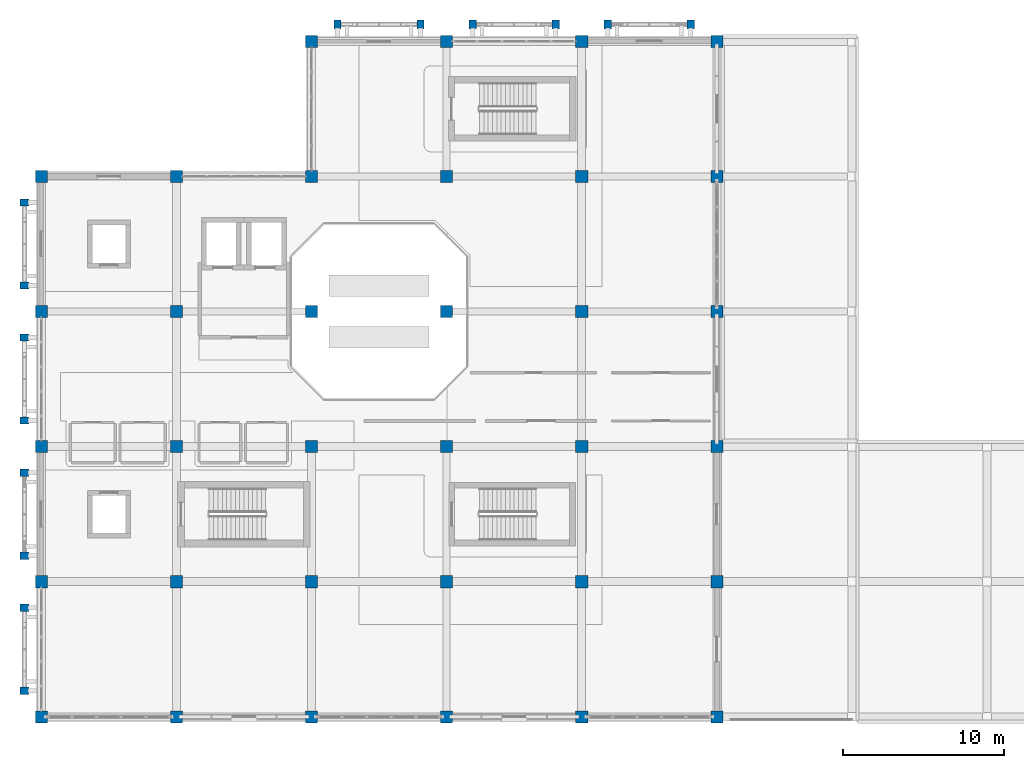
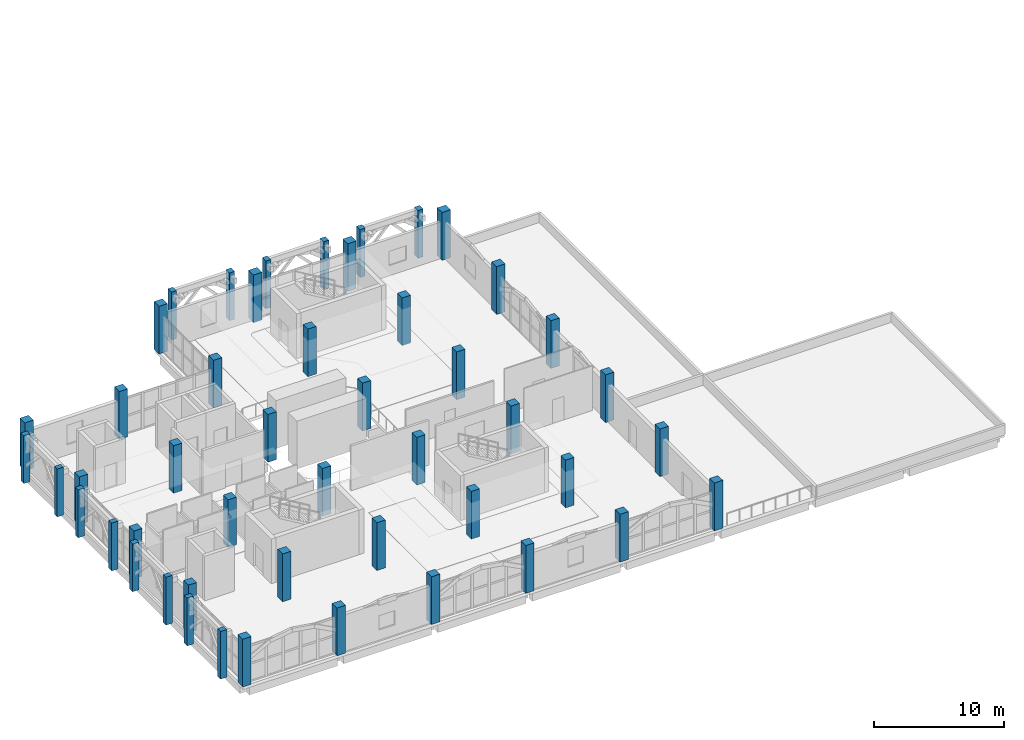
# One storey, part 1 of 34: 48 columns.
"""IFC4 building model written with IfcOpenShell, lengths in metres."""

import ifcopenshell
import ifcopenshell.guid

model = None  # the IFC model being written
_history = None  # IfcOwnerHistory: only IFC2X3 demands one
_inside = {}  # id of a spatial element -> (the spatial element, [elements in it])
_under = {}  # id of a project, library or spatial element -> (it, [spatial elements below it])
_declared = {}  # id of a project -> (the project, [libraries it declares])
_typed = {}  # id of a type object -> (the type object, [elements of that type])
_made_of = {}  # id of a material, layer set ... -> (it, [elements and type objects made of it])


def new_model(schema):
    """Start an empty IFC model of exactly this schema.

    Asked for "IFC4X3", IfcOpenShell would pick the latest addendum, in which some entities
    have other attributes; the version numbers below select the first issue.
    IFC2X3 requires an IfcOwnerHistory on every rooted entity: one is made here for all.
    """
    global model, _history
    if schema == "IFC4X3":
        model = ifcopenshell.file(schema_version=(4, 3, 0, 0))
    else:
        model = ifcopenshell.file(schema=schema)
    _inside.clear()
    _under.clear()
    _declared.clear()
    _typed.clear()
    _made_of.clear()
    _history = None
    if model.schema == "IFC2X3":
        org = make("IfcOrganization", Name="unknown")
        user = make(
            "IfcPersonAndOrganization",
            ThePerson=make("IfcPerson", FamilyName="unknown"),
            TheOrganization=org,
        )
        app = make(
            "IfcApplication",
            ApplicationDeveloper=org,
            Version="unknown",
            ApplicationFullName="unknown",
            ApplicationIdentifier="unknown",
        )
        _history = make(
            "IfcOwnerHistory",
            OwningUser=user,
            OwningApplication=app,
            ChangeAction="ADDED",
            CreationDate=0,
        )
    return model


def make(cls, **values):
    """One entity of the class cls with the attributes given. An attribute that is None is left unset."""
    return model.create_entity(
        cls, **{name: value for name, value in values.items() if value is not None}
    )


def rooted(cls, **values):
    """An entity with a GlobalId (a new one), such as an element, a storey or a relation."""
    return make(cls, GlobalId=ifcopenshell.guid.new(), OwnerHistory=_history, **values)


def si_unit(unit_type, name, prefix=None):
    """IfcSIUnit, for example si_unit("LENGTHUNIT", "METRE", prefix="MILLI")."""
    return make("IfcSIUnit", UnitType=unit_type, Prefix=prefix, Name=name)


def assignment(units):
    """IfcUnitAssignment: the units of a project."""
    return None if units is None else make("IfcUnitAssignment", Units=units)


def point(xyz):
    """IfcCartesianPoint."""
    return None if xyz is None else make("IfcCartesianPoint", Coordinates=xyz)


def direction(xyz):
    """IfcDirection."""
    return None if xyz is None else make("IfcDirection", DirectionRatios=xyz)


def frame(location, z_axis=None, x_axis=None):
    """IfcAxis2Placement3D, a coordinate frame: its origin and axes. An axis left out is left unset."""
    return make(
        "IfcAxis2Placement3D",
        Location=point(location),
        Axis=direction(z_axis),
        RefDirection=direction(x_axis),
    )


def frame_2d(location, x_axis=None):
    """IfcAxis2Placement2D, a coordinate frame in the plane: its origin and x axis."""
    return make(
        "IfcAxis2Placement2D", Location=point(location), RefDirection=direction(x_axis)
    )


def origin():
    """The frame at (0, 0, 0) with its axes left unset."""
    return frame((0.0, 0.0, 0.0))


def origin_2d():
    """The frame at (0, 0) in the plane with its x axis left unset."""
    return frame_2d((0.0, 0.0))


def place(relative_to, where):
    """IfcLocalPlacement: puts the frame where relative to a parent placement (None: the world)."""
    return make(
        "IfcLocalPlacement", PlacementRelTo=relative_to, RelativePlacement=where
    )


def context(
    kind, dimensions, precision=None, world=None, true_north=None, identifier=None
):
    """IfcGeometricRepresentationContext, for example the 3D "Model" context."""
    return make(
        "IfcGeometricRepresentationContext",
        ContextIdentifier=identifier,
        ContextType=kind,
        CoordinateSpaceDimension=dimensions,
        Precision=precision,
        WorldCoordinateSystem=world,
        TrueNorth=true_north,
    )


def subcontext(parent, identifier, kind, view, scale=None):
    """IfcGeometricRepresentationSubContext, for example "Body" below "Model"."""
    return make(
        "IfcGeometricRepresentationSubContext",
        ContextIdentifier=identifier,
        ContextType=kind,
        ParentContext=parent,
        TargetScale=scale,
        TargetView=view,
    )


def project(units=None, contexts=None):
    """IfcProject with its units and contexts."""
    return rooted(
        "IfcProject",
        Name="project",
        RepresentationContexts=contexts,
        UnitsInContext=assignment(units),
    )


def spatial(cls, under=None, at=None, **own):
    """A site, building, storey or space (cls), placed at a placement, below another one or the project."""
    s = rooted(cls, ObjectPlacement=at, **own)
    if under is not None:
        _under.setdefault(under.id(), (under, []))[1].append(s)
    return s


def profile(cls, at=None, kind="AREA", **sizes):
    """A parametric profile (cls). Its sizes go by their IFC names, for example OverallWidth=200.0."""
    return make(cls, ProfileType=kind, Position=at, **sizes)


def rectangle(**sizes):
    """IfcRectangleProfileDef."""
    return profile("IfcRectangleProfileDef", **sizes)


def extrude(swept, where, along, depth):
    """IfcExtrudedAreaSolid: the profile swept, set in the frame where, extruded along a direction by depth."""
    return make(
        "IfcExtrudedAreaSolid",
        SweptArea=swept,
        Position=where,
        ExtrudedDirection=direction(along),
        Depth=depth,
    )


def shape(context_of_items, identifier, shape_type, items):
    """IfcShapeRepresentation: the items that make up one representation, for example the "Body"."""
    return make(
        "IfcShapeRepresentation",
        ContextOfItems=context_of_items,
        RepresentationIdentifier=identifier,
        RepresentationType=shape_type,
        Items=items,
    )


def material(Name=None, Category=None):
    """IfcMaterial."""
    return make("IfcMaterial", Name=Name, Category=Category)


def material_profile(
    of_material, cross_section, Name=None, Category=None, Priority=None
):
    """IfcMaterialProfile: a cross section and its material."""
    return make(
        "IfcMaterialProfile",
        Name=Name,
        Material=of_material,
        Profile=cross_section,
        Priority=Priority,
        Category=Category,
    )


def profile_set(profiles, Name=None, composite=None):
    """IfcMaterialProfileSet."""
    return make(
        "IfcMaterialProfileSet",
        Name=Name,
        MaterialProfiles=profiles,
        CompositeProfile=composite,
    )


def made_of(thing, what):
    """Note that an element or type object is made of a material, layer set ...; save() writes the relation."""
    if what is not None:
        _made_of.setdefault(what.id(), (what, []))[1].append(thing)
    return thing


def type_object(cls, material=None, **own):
    """A type object (cls), such as IfcWallType, which elements share."""
    return made_of(rooted(cls, **own), material)


def element(
    cls,
    number,
    at=None,
    inside=None,
    cuts=None,
    type_object=None,
    material=None,
    context=None,
    identifier="Body",
    shape_type=None,
    held_by="IfcProductDefinitionShape",
    body=None,
    shapes=None,
    **own,
):
    """One element of the class cls, such as IfcWall. Its Tag is "e" and its number.

    at: its placement. inside: the storey or other place that contains it. cuts: it is an
    opening in that element (IfcRelVoidsElement). A single representation is given by context,
    identifier, shape_type and body (its items); several are given by shapes. held_by: the class
    of the entity that holds the representations. save() writes the other relations.
    """
    e = rooted(cls, Tag="e%d" % number, ObjectPlacement=at, **own)
    if body is not None:
        shapes = [shape(context, identifier, shape_type, body)]
    if shapes is not None:
        e.Representation = make(held_by, Representations=shapes)
    if inside is not None:
        _inside.setdefault(inside.id(), (inside, []))[1].append(e)
    if cuts is not None:
        rooted(
            "IfcRelVoidsElement", RelatingBuildingElement=cuts, RelatedOpeningElement=e
        )
    if type_object is not None:
        _typed.setdefault(type_object.id(), (type_object, []))[1].append(e)
    return made_of(e, material)


def aggregate(whole, parts):
    """IfcRelAggregates: a whole, such as a stair, and the parts it consists of."""
    return rooted("IfcRelAggregates", RelatingObject=whole, RelatedObjects=parts)


def save(model, path):
    """Write the relations noted so far, then the file.

    IfcRelAggregates (storeys below a building ...), IfcRelContainedInSpatialStructure (elements
    in a storey), IfcRelDefinesByType, IfcRelAssociatesMaterial and IfcRelDeclares: one each for
    every whole, place, type object, material and project.
    """
    for whole, parts in _under.values():
        aggregate(whole, parts)
    for where, things in _inside.values():
        rooted(
            "IfcRelContainedInSpatialStructure",
            RelatedElements=things,
            RelatingStructure=where,
        )
    for kind, things in _typed.values():
        rooted("IfcRelDefinesByType", RelatedObjects=things, RelatingType=kind)
    for what, things in _made_of.values():
        rooted("IfcRelAssociatesMaterial", RelatedObjects=things, RelatingMaterial=what)
    for by, libraries in _declared.values():
        rooted("IfcRelDeclares", RelatingContext=by, RelatedDefinitions=libraries)
    model.write(path)


model = new_model("IFC4")

# Units and contexts
model_context = context("Model", 3, precision=1e-05, world=origin(), true_north=direction((0.0, 1.0)))
body_context = subcontext(model_context, "Body", "Model", "MODEL_VIEW")
ifc_project = project(units=[si_unit("LENGTHUNIT", "METRE"), si_unit("AREAUNIT", "SQUARE_METRE"), si_unit("VOLUMEUNIT", "CUBIC_METRE"), si_unit("PLANEANGLEUNIT", "RADIAN"), si_unit("MASSUNIT", "GRAM", prefix="KILO")], contexts=[model_context])

# Site, building, storey
site_placement = place(None, origin())
site = spatial("IfcSite", under=ifc_project, at=site_placement, CompositionType="ELEMENT")
building_placement = place(site_placement, origin())
building = spatial("IfcBuilding", under=site, at=building_placement, Name="Xazarin Passage Department Store", CompositionType="ELEMENT")
storey_placement = place(building_placement, frame((0.0, 0.0, 18.89990234375)))
storey = spatial("IfcBuildingStorey", under=building, at=storey_placement, Name="L04", CompositionType="ELEMENT", Elevation=18.89990234375)

# Columns
ifc_material = material(Name="Concrete C40/50", Category="concrete")
ifc_material_profile_1 = material_profile(ifc_material, rectangle(XDim=0.75, YDim=0.75, at=origin_2d()), Name="RC 750x750")
ifc_profile_set_1 = profile_set([ifc_material_profile_1], Name="Concrete C40/50")
column_type_1 = type_object("IfcColumnType", Name="STR-COL-RC750", PredefinedType="COLUMN", material=ifc_profile_set_1)
for number, where, z_axis, x_axis, name in (
    (1, (0.0, 68.0, 0.0), (0.0, 0.0, 1.0), (1.0, 0.0, 0.0), "L04 Column 1/K"),
    (2, (8.39990234375, 68.0, 0.0), (0.0, 0.0, 1.0), (1.0, 0.0, 0.0), "L04 Column 2/K"),
    (3, (16.800048828125, 68.0, 0.0), (0.0, 0.0, 1.0), (1.0, 0.0, 0.0), "L04 Column 3/K"),
    (4, (25.199951171875, 68.0, 0.0), (0.0, 0.0, 1.0), (1.0, 0.0, 0.0), "L04 Column 4/K"),
    (5, (33.60009765625, 68.0, 0.0), (0.0, 0.0, 1.0), (1.0, 0.0, 0.0), "L04 Column 5/K"),
    (6, (42.0, 68.0, 0.0), (0.0, 0.0, 1.0), (1.0, 0.0, 0.0), "L04 Column 6/K"),
    (7, (0.0, 76.39990234375, 0.0), (0.0, 0.0, 1.0), (1.0, 0.0, 0.0), "L04 Column 1/L"),
    (8, (8.39990234375, 76.39990234375, 0.0), (0.0, 0.0, 1.0), (1.0, 0.0, 0.0), "L04 Column 2/L"),
    (9, (16.800048828125, 76.39990234375, 0.0), (0.0, 0.0, 1.0), (1.0, 0.0, 0.0), "L04 Column 3/L"),
    (10, (25.199951171875, 76.39990234375, 0.0), (0.0, 0.0, 1.0), (1.0, 0.0, 0.0), "L04 Column 4/L"),
    (11, (33.60009765625, 76.39990234375, 0.0), (0.0, 0.0, 1.0), (1.0, 0.0, 0.0), "L04 Column 5/L"),
    (12, (42.0, 76.39990234375, 0.0), (0.0, 0.0, 1.0), (1.0, 0.0, 0.0), "L04 Column 6/L"),
    (13, (0.0, 84.800048828125, 0.0), (0.0, 0.0, 1.0), (1.0, 0.0, 0.0), "L04 Column 1/M"),
    (14, (8.39990234375, 84.800048828125, 0.0), (0.0, 0.0, 1.0), (1.0, 0.0, 0.0), "L04 Column 2/M"),
    (15, (16.800048828125, 84.800048828125, 0.0), (0.0, 0.0, 1.0), (1.0, 0.0, 0.0), "L04 Column 3/M"),
    (16, (25.199951171875, 84.800048828125, 0.0), (0.0, 0.0, 1.0), (1.0, 0.0, 0.0), "L04 Column 4/M"),
    (17, (33.60009765625, 84.800048828125, 0.0), (0.0, 0.0, 1.0), (1.0, 0.0, 0.0), "L04 Column 5/M"),
    (18, (42.0, 84.800048828125, 0.0), (0.0, 0.0, 1.0), (1.0, 0.0, 0.0), "L04 Column 6/M"),
    (19, (0.0, 93.199951171875, 0.0), (0.0, 0.0, 1.0), (1.0, 0.0, 0.0), "L04 Column 1/N"),
    (20, (8.39990234375, 93.199951171875, 0.0), (0.0, 0.0, 1.0), (1.0, 0.0, 0.0), "L04 Column 2/N"),
    (21, (16.800048828125, 93.199951171875, 0.0), (0.0, 0.0, 1.0), (1.0, 0.0, 0.0), "L04 Column 3/N"),
    (22, (25.199951171875, 93.199951171875, 0.0), (0.0, 0.0, 1.0), (1.0, 0.0, 0.0), "L04 Column 4/N"),
    (23, (33.60009765625, 93.199951171875, 0.0), (0.0, 0.0, 1.0), (1.0, 0.0, 0.0), "L04 Column 5/N"),
    (24, (42.0, 93.199951171875, 0.0), (0.0, 0.0, 1.0), (1.0, 0.0, 0.0), "L04 Column 6/N"),
    (25, (0.0, 101.60009765625, 0.0), (0.0, 0.0, 1.0), (1.0, 0.0, 0.0), "L04 Column 1/P"),
    (26, (8.39990234375, 101.60009765625, 0.0), (0.0, 0.0, 1.0), (1.0, 0.0, 0.0), "L04 Column 2/P"),
    (27, (16.800048828125, 101.60009765625, 0.0), (0.0, 0.0, 1.0), (1.0, 0.0, 0.0), "L04 Column 3/P"),
    (28, (25.199951171875, 101.60009765625, 0.0), (0.0, 0.0, 1.0), (1.0, 0.0, 0.0), "L04 Column 4/P"),
    (29, (33.60009765625, 101.60009765625, 0.0), (0.0, 0.0, 1.0), (1.0, 0.0, 0.0), "L04 Column 5/P"),
    (30, (42.0, 101.60009765625, 0.0), (0.0, 0.0, 1.0), (1.0, 0.0, 0.0), "L04 Column 6/P"),
    (31, (16.800048828125, 110.0, 0.0), (0.0, 0.0, 1.0), (1.0, 0.0, 0.0), "L04 Column 3/Q"),
    (32, (25.199951171875, 110.0, 0.0), (0.0, 0.0, 1.0), (1.0, 0.0, 0.0), "L04 Column 4/Q"),
    (33, (33.60009765625, 110.0, 0.0), (0.0, 0.0, 1.0), (1.0, 0.0, 0.0), "L04 Column 5/Q"),
    (34, (42.0, 110.0, 0.0), (0.0, 0.0, 1.0), (1.0, 0.0, 0.0), "L04 Column 6/Q"),
):
    element("IfcColumn", number, at=place(storey_placement, frame(where, z_axis=z_axis, x_axis=x_axis)), inside=storey, type_object=column_type_1, Name=name, PredefinedType="COLUMN", context=body_context, shape_type="SweptSolid", body=[
        extrude(rectangle(XDim=0.75, YDim=0.75, at=origin_2d()), origin(), (0.0, 0.0, 1.0), 4.5),
    ])
ifc_material_profile_2 = material_profile(ifc_material, rectangle(XDim=0.449951171875, YDim=0.550048828125, at=origin_2d()), Name="RC 450x550")
ifc_profile_set_2 = profile_set([ifc_material_profile_2], Name="Concrete C40/50")
column_type_2 = type_object("IfcColumnType", Name="STR-PIL-RC450", PredefinedType="PILASTER", material=ifc_profile_set_2)
for number, where, z_axis, x_axis, name in (
    (35, (18.419921875, 111.050048828125, 0.0), (0.0, 0.0, 1.0), (1.0, 0.0, 0.0), "L04 V1 Pierced-Arch Colonnade Pier 001L"),
    (36, (23.580078125, 111.050048828125, 0.0), (0.0, 0.0, 1.0), (1.0, 0.0, 0.0), "L04 V1 Pierced-Arch Colonnade Pier 001R"),
    (37, (26.820068359375, 111.050048828125, 0.0), (0.0, 0.0, 1.0), (1.0, 0.0, 0.0), "L04 V1 Pierced-Arch Colonnade Pier 002L"),
    (38, (31.97998046875, 111.050048828125, 0.0), (0.0, 0.0, 1.0), (1.0, 0.0, 0.0), "L04 V1 Pierced-Arch Colonnade Pier 002R"),
    (39, (35.219970703125, 111.050048828125, 0.0), (0.0, 0.0, 1.0), (1.0, 0.0, 0.0), "L04 V1 Pierced-Arch Colonnade Pier 003L"),
    (40, (40.3798828125, 111.050048828125, 0.0), (0.0, 0.0, 1.0), (1.0, 0.0, 0.0), "L04 V1 Pierced-Arch Colonnade Pier 003R"),
    (41, (-1.050048828125, 69.6201171875, 0.0), (0.0, 0.0, 1.0), (0.0, 1.0, 0.0), "L04 V1 Pierced-Arch Colonnade Pier 010L"),
    (42, (-1.050048828125, 74.780029296875, 0.0), (0.0, 0.0, 1.0), (0.0, 1.0, 0.0), "L04 V1 Pierced-Arch Colonnade Pier 010R"),
    (43, (-1.050048828125, 78.02001953125, 0.0), (0.0, 0.0, 1.0), (0.0, 1.0, 0.0), "L04 V1 Pierced-Arch Colonnade Pier 011L"),
    (44, (-1.050048828125, 83.179931640625, 0.0), (0.0, 0.0, 1.0), (0.0, 1.0, 0.0), "L04 V1 Pierced-Arch Colonnade Pier 011R"),
    (45, (-1.050048828125, 86.419921875, 0.0), (0.0, 0.0, 1.0), (0.0, 1.0, 0.0), "L04 V1 Pierced-Arch Colonnade Pier 012L"),
    (46, (-1.050048828125, 91.580078125, 0.0), (0.0, 0.0, 1.0), (0.0, 1.0, 0.0), "L04 V1 Pierced-Arch Colonnade Pier 012R"),
    (47, (-1.050048828125, 94.820068359375, 0.0), (0.0, 0.0, 1.0), (0.0, 1.0, 0.0), "L04 V1 Pierced-Arch Colonnade Pier 013L"),
    (48, (-1.050048828125, 99.97998046875, 0.0), (0.0, 0.0, 1.0), (0.0, 1.0, 0.0), "L04 V1 Pierced-Arch Colonnade Pier 013R"),
):
    element("IfcColumn", number, at=place(storey_placement, frame(where, z_axis=z_axis, x_axis=x_axis)), inside=storey, type_object=column_type_2, Name=name, PredefinedType="PILASTER", context=body_context, shape_type="SweptSolid", body=[
        extrude(rectangle(XDim=0.449951171875, YDim=0.550048828125, at=origin_2d()), origin(), (0.0, 0.0, 1.0), 4.5),
    ])

save(model, "model.ifc")
